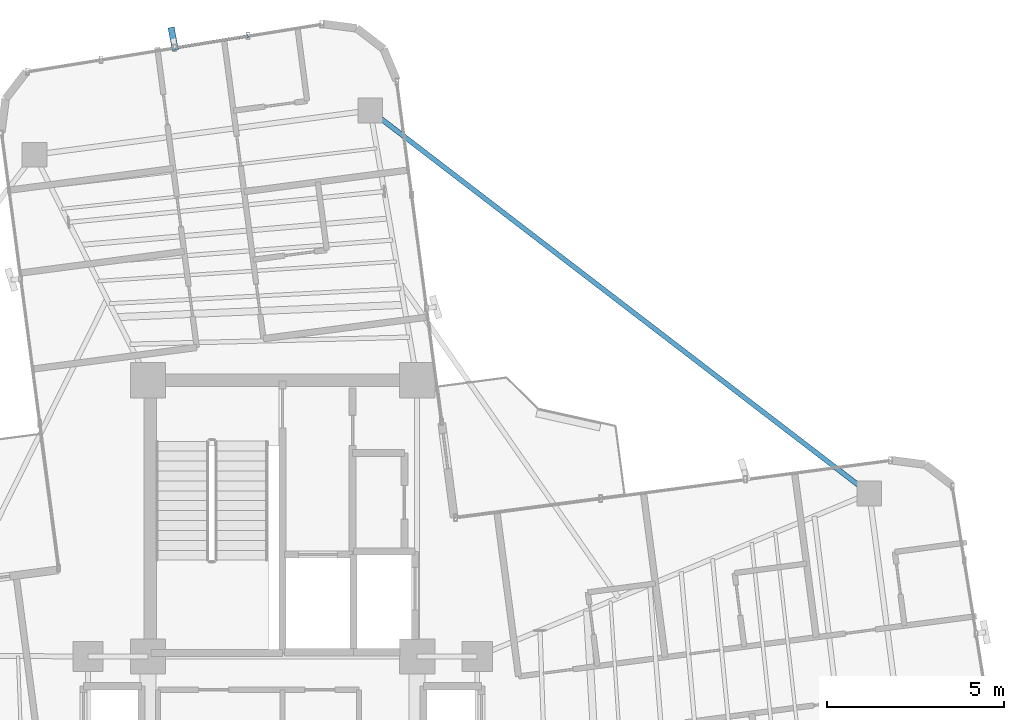
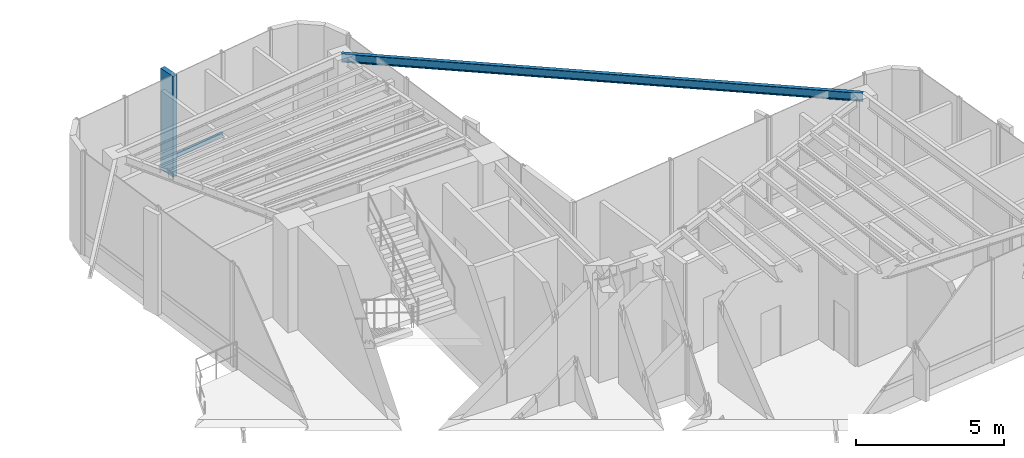
# One storey, part 11 of 20: 2 members, 1 beam, 1 element without a shape of its own.
"""IFC4 building model written with IfcOpenShell, lengths in metres."""

from ifc_helpers import new_model, si_unit, direction, frame, origin, origin_2d, place, context, subcontext, project, spatial, rectangle, hollow_rectangle, i_section, extrude, source, transform, mapped, material, material_profile, profile_set, type_object, element, aggregate, save


model = new_model("IFC4")

# Units and contexts
model_context = context("Model", 3, precision=1e-05, world=origin(), true_north=direction((0.0, 1.0)))
body_context = subcontext(model_context, "Body", "Model", "MODEL_VIEW")
ifc_project = project(units=[si_unit("LENGTHUNIT", "METRE"), si_unit("AREAUNIT", "SQUARE_METRE"), si_unit("VOLUMEUNIT", "CUBIC_METRE"), si_unit("PLANEANGLEUNIT", "RADIAN"), si_unit("MASSUNIT", "GRAM", prefix="KILO")], contexts=[model_context])

# Site, building, storey
site_placement = place(None, origin())
site = spatial("IfcSite", under=ifc_project, at=site_placement, CompositionType="ELEMENT")
building_placement = place(site_placement, origin())
building = spatial("IfcBuilding", under=site, at=building_placement, Name="Sahyath Konkavel Grand Hotel", CompositionType="ELEMENT")
storey_placement = place(building_placement, frame((0.0, 0.0, 229.949951171875)))
storey = spatial("IfcBuildingStorey", under=building, at=storey_placement, Name="L64", CompositionType="ELEMENT", Elevation=229.949951171875)

# Beam
ifc_material_1 = material(Name="Steel E350", Category="steel")
ifc_material_profile_1 = material_profile(ifc_material_1, i_section(OverallWidth=0.139892578125, OverallDepth=0.35009765625, WebThickness=0.008056640625, FlangeThickness=0.01416015625, FilletRadius=0.013916015625, at=origin_2d()), Name="ISMB 350")
ifc_profile_set_1 = profile_set([ifc_material_profile_1], Name="Steel E350")
beam_type = type_object("IfcBeamType", Name="BM-ISMB350", PredefinedType="BEAM", material=ifc_profile_set_1)
shared_shape_1 = source(origin(), body_context, "Body", "SweptSolid", [
    extrude(i_section(OverallWidth=0.139892578125, OverallDepth=0.35009765625, WebThickness=0.008056640625, FlangeThickness=0.01416015625, FilletRadius=0.013916015625, at=origin_2d()), origin(), (0.0, 0.0, 1.0), 17.768310546875),
])
beam_placement = place(storey_placement, frame((16.57421875, 7.00634765625, 4.0849609375), z_axis=(-0.793351302745, 0.608764084382, 0.0), x_axis=(-0.608764084382, -0.793351302745, 0.0)))
element("IfcBeam", 1, at=beam_placement, inside=storey, type_object=beam_type, Name="L64 Re-Entrant Tie Beam NE", PredefinedType="BEAM", context=body_context, shape_type="MappedRepresentation", body=[
    mapped(shared_shape_1, transform((0.0, 0.0, 0.0), scale=1.0)),
])

# Curtain wall, members
ifc_material_2 = material(Name="Anodised Bronze Aluminium & Low-E Glazing", Category="aluminium")
curtain_wall_type = type_object("IfcCurtainWallType", Name="CW-SKYLOBBY", PredefinedType="NOTDEFINED", material=ifc_material_2)
curtain_wall_placement = place(storey_placement, origin())
curtain_wall = element("IfcCurtainWall", 2, at=curtain_wall_placement, inside=storey, type_object=curtain_wall_type, Name="L64 Unitised Curtain Wall F12", PredefinedType="NOTDEFINED")
ifc_material_3 = material(Name="Warm Buff Sandstone Cladding on Concrete C50/60", Category="masonry")
ifc_material_profile_2 = material_profile(ifc_material_3, rectangle(XDim=0.179931640625, YDim=0.64990234375, at=origin_2d()), Name="FIN 180x650")
ifc_profile_set_2 = profile_set([ifc_material_profile_2], Name="Warm Buff Sandstone Cladding on Concrete C50/60")
member_type_1 = type_object("IfcMemberType", Name="FIN-SANDSTONE-650", PredefinedType="MULLION", material=ifc_profile_set_2)
shared_shape_2 = source(origin(), body_context, "Body", "SweptSolid", [
    extrude(rectangle(XDim=0.179931640625, YDim=0.64990234375, at=origin_2d()), origin(), (0.0, 0.0, 1.0), 4.159912109375),
])
member_1_placement = place(storey_placement, frame((-3.08740234375, 19.849853515625, 0.050048828125), z_axis=(0.0, 0.0, 1.0), x_axis=(0.982254531559, 0.187552753198, 0.0)))
member_1 = element("IfcMember", 3, at=member_1_placement, type_object=member_type_1, Name="L64 Sandstone Vertical Solar Fin FIN F12-2", PredefinedType="MULLION", context=body_context, shape_type="MappedRepresentation", body=[
    mapped(shared_shape_2, transform((0.0, 0.0, 0.0), scale=1.0)),
])
ifc_material_4 = material(Name="Anodised Bronze Aluminium", Category="aluminium")
ifc_material_profile_3 = material_profile(ifc_material_4, hollow_rectangle(XDim=0.080078125, YDim=0.159912109375, WallThickness=0.006103515625, at=origin_2d()), Name="RHS 160x80x6")
ifc_profile_set_3 = profile_set([ifc_material_profile_3], Name="Anodised Bronze Aluminium")
member_type_2 = type_object("IfcMemberType", Name="CW-TRN-160", PredefinedType="USERDEFINED", material=ifc_profile_set_3)
shared_shape_3 = source(origin(), body_context, "Body", "SweptSolid", [
    extrude(hollow_rectangle(XDim=0.080078125, YDim=0.159912109375, WallThickness=0.006103515625, at=origin_2d()), origin(), (0.0, 0.0, 1.0), 2.103515625),
])
member_2_placement = place(storey_placement, frame((-0.96923828125, 19.928466796875, 0.85009765625), z_axis=(-0.987203426672, -0.159465966171, 0.0), x_axis=(0.159465966171, -0.987203426672, 0.0)))
member_2 = element("IfcMember", 4, at=member_2_placement, type_object=member_type_2, Name="L64 Curtain Wall Transom F12-1-spandrel", ObjectType="TRANSOM", PredefinedType="USERDEFINED", context=body_context, shape_type="MappedRepresentation", body=[
    mapped(shared_shape_3, transform((0.0, 0.0, 0.0), scale=1.0)),
])
aggregate(curtain_wall, [member_1, member_2])

save(model, "model.ifc")
